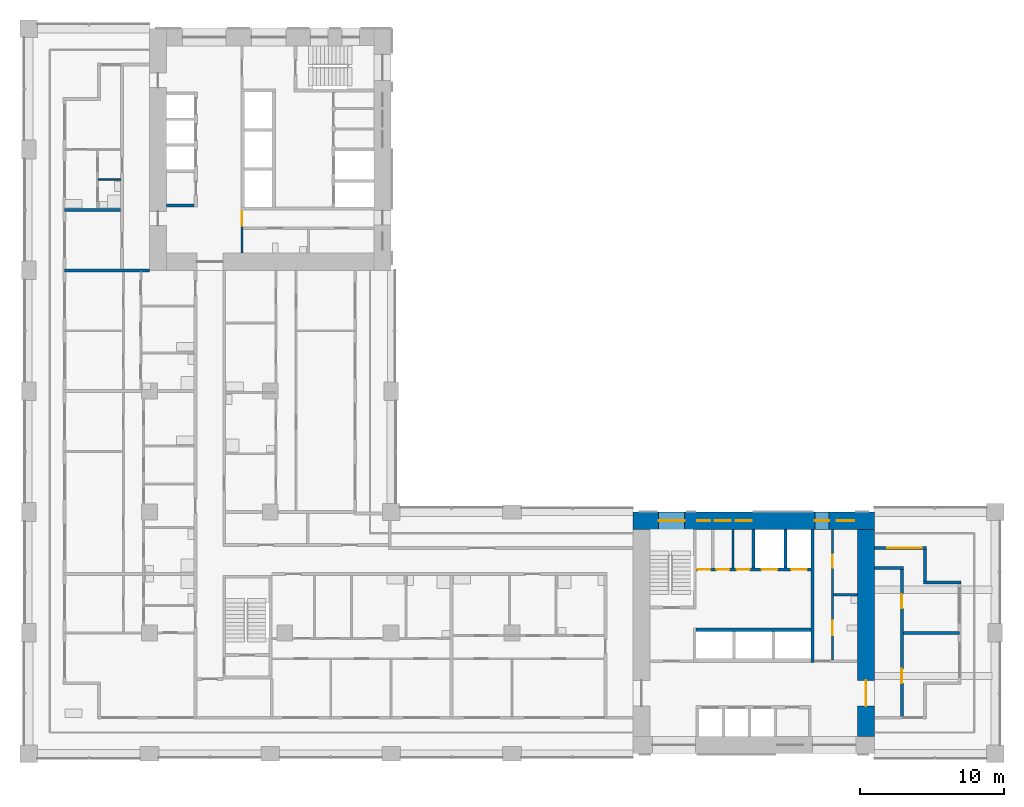
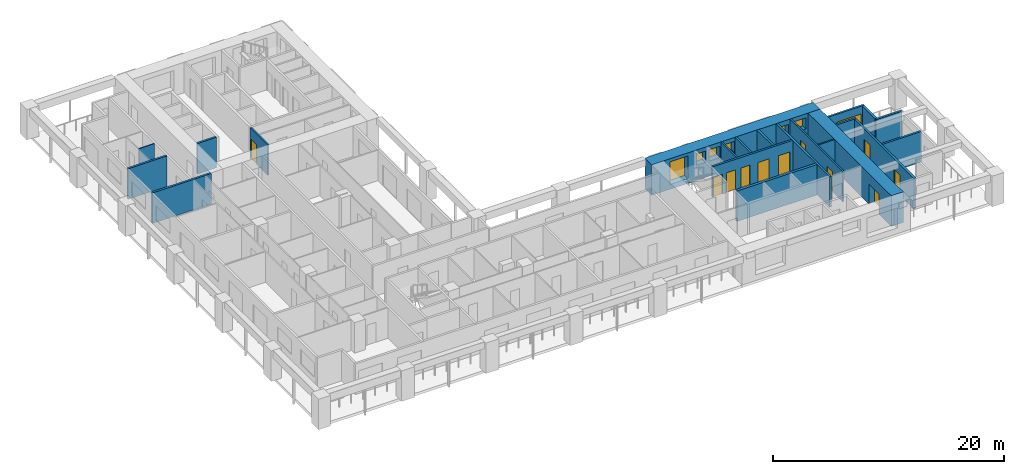
# One storey, part 6 of 17: 21 walls, 11 doors, 7 windows, 18 openings.
"""IFC4 building model written with IfcOpenShell, lengths in metres."""

from ifc_helpers import new_model, si_unit, direction, frame, frame_2d, origin, place, context, subcontext, project, spatial, rectangle, extrude, material, layer, layer_set, type_object, element, fill, save


model = new_model("IFC4")

# Units and contexts
model_context = context("Model", 3, precision=1e-05, world=origin(), true_north=direction((0.0, 1.0)))
body_context = subcontext(model_context, "Body", "Model", "MODEL_VIEW")
ifc_project = project(units=[si_unit("LENGTHUNIT", "METRE"), si_unit("AREAUNIT", "SQUARE_METRE"), si_unit("VOLUMEUNIT", "CUBIC_METRE"), si_unit("PLANEANGLEUNIT", "RADIAN"), si_unit("MASSUNIT", "GRAM", prefix="KILO")], contexts=[model_context])

# Site, building, storey
site_placement = place(None, origin())
site = spatial("IfcSite", under=ifc_project, at=site_placement, CompositionType="ELEMENT")
building_placement = place(site_placement, origin())
building = spatial("IfcBuilding", under=site, at=building_placement, Name="Vermilion Gate Residences", CompositionType="ELEMENT")
storey_placement = place(building_placement, frame((0.0, 0.0, 116.199951171875)))
storey = spatial("IfcBuildingStorey", under=building, at=storey_placement, Name="L29", CompositionType="ELEMENT", Elevation=116.199951171875)

# Walls
ifc_material_1 = material(Name="Masonry blockwork", Category="masonry")
ifc_layer_1 = layer(ifc_material_1, 0.14990234375)
ifc_layer_set_1 = layer_set([ifc_layer_1], Name="BLOCKWORK PARTITION 150 EI 120")
wall_type_1 = type_object("IfcWallType", Name="BLOCKWORK PARTITION 150 EI 120", PredefinedType="PARTITIONING", material=ifc_layer_set_1)
wall_1_placement = place(storey_placement, frame((48.965087890625, 21.300048828125, 0.0), z_axis=(0.0, 0.0, 1.0), x_axis=(0.0, 1.0, 0.0)))
element("IfcWall", 1, at=wall_1_placement, inside=storey, type_object=wall_type_1, Name="Core room partition A29-NR-P1", PredefinedType="PARTITIONING", context=body_context, shape_type="SweptSolid", body=[
    extrude(rectangle(XDim=2.699951171875, YDim=0.14990234375, at=frame_2d((1.35009765625, 0.0))), origin(), (0.0, 0.0, 1.0), 3.219970703125),
])
wall_2_placement = place(storey_placement, frame((55.949951171875, 19.449951171875, 0.0), z_axis=(0.0, 0.0, 1.0), x_axis=(1.0, 0.0, 0.0)))
element("IfcWall", 2, at=wall_2_placement, inside=storey, type_object=wall_type_1, Name="Core room partition A29-ES-P0", PredefinedType="PARTITIONING", context=body_context, shape_type="SweptSolid", body=[
    extrude(rectangle(XDim=1.650146484375, YDim=0.14990234375, at=frame_2d((0.8251953125, 0.0))), origin(), (0.0, 0.0, 1.0), 3.219970703125),
])

# Wall, openings, doors
wall_3_placement = place(storey_placement, frame((55.875, 14.89990234375, 0.0), z_axis=(0.0, 0.0, 1.0), x_axis=(0.0, 1.0, 0.0)))
wall_3 = element("IfcWall", 3, at=wall_3_placement, inside=storey, type_object=wall_type_1, Name="Core room partition A29-ES-W", PredefinedType="PARTITIONING", context=body_context, shape_type="SweptSolid", body=[
    extrude(rectangle(XDim=9.10009765625, YDim=0.14990234375, at=frame_2d((4.550048828125, 0.0))), origin(), (0.0, 0.0, 1.0), 3.219970703125),
])
opening_1_placement = place(wall_3_placement, frame((1.737548828125, 0.0, 0.0)))
opening_1 = element("IfcOpeningElement", 4, at=opening_1_placement, cuts=wall_3, Name="Opening DK29015", PredefinedType="OPENING", context=body_context, shape_type="SweptSolid", body=[
    extrude(rectangle(XDim=1.0, YDim=2.10009765625, at=frame_2d((0.5, 1.050048828125))), frame((0.0, 0.0849609375, 0.0), z_axis=(0.0, -1.0, 0.0), x_axis=(1.0, 0.0, 0.0)), (0.0, 0.0, 1.0), 0.169921875),
])
opening_2_placement = place(wall_3_placement, frame((6.41259765625, 0.0, 0.0)))
opening_2 = element("IfcOpeningElement", 5, at=opening_2_placement, cuts=wall_3, Name="Opening DK29016", PredefinedType="OPENING", context=body_context, shape_type="SweptSolid", body=[
    extrude(rectangle(XDim=0.89990234375, YDim=2.10009765625, at=frame_2d((0.449951171875, 1.050048828125))), frame((0.0, 0.0849609375, 0.0), z_axis=(0.0, -1.0, 0.0), x_axis=(1.0, 0.0, 0.0)), (0.0, 0.0, 1.0), 0.169921875),
])
ifc_material_2 = material(Name="Steel", Category="steel")
door_type_1 = type_object("IfcDoorType", Name="FIRE DOOR FD60 1000 X 2100", OperationType="SINGLE_SWING_LEFT", PredefinedType="DOOR", material=ifc_material_2)
door_1_placement = place(opening_1_placement, frame((1.0, 0.0, 0.0), z_axis=(0.0, 0.0, 1.0), x_axis=(-1.0, 0.0, 0.0)))
door_1 = element("IfcDoor", 6, at=door_1_placement, inside=storey, type_object=door_type_1, Name="Accessible WC A29", OperationType="SINGLE_SWING_RIGHT", OverallHeight=2.10009765625, OverallWidth=1.0, PredefinedType="DOOR", context=body_context, shape_type="SweptSolid", body=[
    extrude(rectangle(XDim=1.0, YDim=2.10009765625, at=frame_2d((0.5, 1.050048828125))), frame((0.0, 0.02490234375, 0.0), z_axis=(0.0, -1.0, 0.0), x_axis=(1.0, 0.0, 0.0)), (0.0, 0.0, 1.0), 0.050048828125),
])
fill(opening_1, door_1)
ifc_material_3 = material(Name="Steel", Category="steel")
door_type_2 = type_object("IfcDoorType", Name="SERVICE ROOM DOOR FD60 900 X 2100", OperationType="SINGLE_SWING_LEFT", PredefinedType="DOOR", material=ifc_material_3)
door_2_placement = place(opening_2_placement, frame((0.89990234375, 0.0, 0.0), z_axis=(0.0, 0.0, 1.0), x_axis=(-1.0, 0.0, 0.0)))
door_2 = element("IfcDoor", 7, at=door_2_placement, inside=storey, type_object=door_type_2, Name="Refuse room A29", OperationType="SINGLE_SWING_RIGHT", OverallHeight=2.10009765625, OverallWidth=0.89990234375, PredefinedType="DOOR", context=body_context, shape_type="SweptSolid", body=[
    extrude(rectangle(XDim=0.89990234375, YDim=2.10009765625, at=frame_2d((0.449951171875, 1.050048828125))), frame((0.0, 0.02490234375, 0.0), z_axis=(0.0, -1.0, 0.0), x_axis=(1.0, 0.0, 0.0)), (0.0, 0.0, 1.0), 0.050048828125),
])
fill(opening_2, door_2)

# Wall, opening, door
wall_4_placement = place(storey_placement, frame((14.824951171875, 46.199951171875, 0.0), z_axis=(0.0, 0.0, 1.0), x_axis=(0.0, -1.0, 0.0)))
wall_4 = element("IfcWall", 8, at=wall_4_placement, inside=storey, type_object=wall_type_1, Name="Core room partition B29-ES-S", PredefinedType="PARTITIONING", context=body_context, shape_type="SweptSolid", body=[
    extrude(rectangle(XDim=3.0, YDim=0.14990234375, at=frame_2d((1.5, 0.0))), origin(), (0.0, 0.0, 1.0), 3.219970703125),
])
opening_3_placement = place(wall_4_placement, frame((0.10009765625, 0.0, 0.0)))
opening_3 = element("IfcOpeningElement", 9, at=opening_3_placement, cuts=wall_4, Name="Opening DK29115", PredefinedType="OPENING", context=body_context, shape_type="SweptSolid", body=[
    extrude(rectangle(XDim=1.0, YDim=2.10009765625, at=frame_2d((0.5, 1.050048828125))), frame((0.0, 0.0849609375, 0.0), z_axis=(0.0, -1.0, 0.0), x_axis=(1.0, 0.0, 0.0)), (0.0, 0.0, 1.0), 0.169921875),
])
door_3_placement = place(opening_3_placement, frame((1.0, 0.0, 0.0), z_axis=(0.0, 0.0, 1.0), x_axis=(-1.0, 0.0, 0.0)))
door_3 = element("IfcDoor", 10, at=door_3_placement, inside=storey, type_object=door_type_1, Name="Service corridor door B29", OperationType="SINGLE_SWING_LEFT", OverallHeight=2.10009765625, OverallWidth=1.0, PredefinedType="DOOR", context=body_context, shape_type="SweptSolid", body=[
    extrude(rectangle(XDim=1.0, YDim=2.10009765625, at=frame_2d((0.5, 1.050048828125))), frame((0.0, 0.02490234375, 0.0), z_axis=(0.0, -1.0, 0.0), x_axis=(1.0, 0.0, 0.0)), (0.0, 0.0, 1.0), 0.050048828125),
])
fill(opening_3, door_3)

# Walls
ifc_material_4 = material(Name="Insulated steel stud wall with terracotta rainscreen", Category="masonry")
ifc_layer_2 = layer(ifc_material_4, 0.199951171875)
ifc_layer_set_2 = layer_set([ifc_layer_2], Name="EXTERNAL WALL 200 TERRACOTTA RAINSCREEN")
wall_type_2 = type_object("IfcWallType", Name="EXTERNAL WALL 200 TERRACOTTA RAINSCREEN", PredefinedType="SOLIDWALL", material=ifc_layer_set_2)
wall_5_placement = place(storey_placement, frame((64.800048828125, 20.300048828125, 0.0), z_axis=(0.0, 0.0, 1.0), x_axis=(-1.0, 0.0, 0.0)))
element("IfcWall", 11, at=wall_5_placement, inside=storey, type_object=wall_type_2, Name="External wall", PredefinedType="SOLIDWALL", context=body_context, shape_type="SweptSolid", body=[
    extrude(rectangle(XDim=2.60009765625, YDim=0.199951171875, at=frame_2d((1.300048828125, 0.0))), origin(), (0.0, 0.0, 1.0), 3.219970703125),
])
wall_6_placement = place(storey_placement, frame((62.300048828125, 20.39990234375, 0.0), z_axis=(0.0, 0.0, 1.0), x_axis=(0.0, 1.0, 0.0)))
element("IfcWall", 12, at=wall_6_placement, inside=storey, type_object=wall_type_2, Name="External wall", PredefinedType="SOLIDWALL", context=body_context, shape_type="SweptSolid", body=[
    extrude(rectangle(XDim=2.2001953125, YDim=0.199951171875, at=frame_2d((1.10009765625, 0.0))), origin(), (0.0, 0.0, 1.0), 3.219970703125),
])

# Wall, opening, window
wall_7_placement = place(storey_placement, frame((62.39990234375, 22.699951171875, 0.0), z_axis=(0.0, 0.0, 1.0), x_axis=(-1.0, 0.0, 0.0)))
wall_7 = element("IfcWall", 13, at=wall_7_placement, inside=storey, type_object=wall_type_2, Name="External wall", PredefinedType="SOLIDWALL", context=body_context, shape_type="SweptSolid", body=[
    extrude(rectangle(XDim=3.599853515625, YDim=0.199951171875, at=frame_2d((1.7998046875, 0.0))), origin(), (0.0, 0.0, 1.0), 3.219970703125),
])
opening_4_placement = place(wall_7_placement, frame((0.300048828125, 0.0, 0.89990234375)))
opening_4 = element("IfcOpeningElement", 14, at=opening_4_placement, cuts=wall_7, Name="Opening WE29023", PredefinedType="OPENING", context=body_context, shape_type="SweptSolid", body=[
    extrude(rectangle(XDim=2.39990234375, YDim=1.5, at=frame_2d((1.199951171875, 0.75))), frame((0.0, 0.10986328125, 0.0), z_axis=(0.0, -1.0, 0.0), x_axis=(1.0, 0.0, 0.0)), (0.0, 0.0, 1.0), 0.219970703125),
])
ifc_material_5 = material(Name="Aluminium and clear glass", Category="aluminium")
window_type_1 = type_object("IfcWindowType", Name="WINDOW 2400 X 1500", PartitioningType="SINGLE_PANEL", PredefinedType="WINDOW", material=ifc_material_5)
window_1_placement = place(opening_4_placement, origin())
window_1 = element("IfcWindow", 15, at=window_1_placement, inside=storey, type_object=window_type_1, Name="Window", OverallHeight=1.5, OverallWidth=2.39990234375, PartitioningType="SINGLE_PANEL", PredefinedType="WINDOW", context=body_context, shape_type="SweptSolid", body=[
    extrude(rectangle(XDim=2.39990234375, YDim=1.5, at=frame_2d((1.199951171875, 0.75))), frame((0.0, 0.030029296875, 0.0), z_axis=(0.0, -1.0, 0.0), x_axis=(1.0, 0.0, 0.0)), (0.0, 0.0, 1.0), 0.06005859375),
])
fill(opening_4, window_1)

# Walls
ifc_material_6 = material(Name="Plasterboard on steel studs", Category="steel")
ifc_layer_3 = layer(ifc_material_6, 0.10009765625)
ifc_layer_set_3 = layer_set([ifc_layer_3], Name="PARTITION 100")
wall_type_3 = type_object("IfcWallType", Name="PARTITION 100", PredefinedType="PARTITIONING", material=ifc_layer_set_3)
wall_8_placement = place(storey_placement, frame((4.85009765625, 48.300048828125, 0.0), z_axis=(0.0, 0.0, 1.0), x_axis=(1.0, 0.0, 0.0)))
element("IfcWall", 16, at=wall_8_placement, inside=storey, type_object=wall_type_3, Name="Partition", PredefinedType="PARTITIONING", context=body_context, shape_type="SweptSolid", body=[
    extrude(rectangle(XDim=1.5498046875, YDim=0.10009765625, at=frame_2d((0.77490234375, 0.0))), origin(), (0.0, 0.0, 1.0), 3.219970703125),
])
ifc_material_7 = material(Name="Fire-rated plasterboard on steel studs", Category="steel")
ifc_layer_4 = layer(ifc_material_7, 0.199951171875)
ifc_layer_set_4 = layer_set([ifc_layer_4], Name="PARTY WALL 200 EI 120")
wall_type_4 = type_object("IfcWallType", Name="PARTY WALL 200 EI 120", PredefinedType="PARTITIONING", material=ifc_layer_set_4)
wall_9_placement = place(storey_placement, frame((60.800048828125, 16.800048828125, 0.0), z_axis=(0.0, 0.0, 1.0), x_axis=(1.0, 0.0, 0.0)))
element("IfcWall", 17, at=wall_9_placement, inside=storey, type_object=wall_type_4, Name="Party and corridor wall", PredefinedType="PARTITIONING", context=body_context, shape_type="SweptSolid", body=[
    extrude(rectangle(XDim=3.89990234375, YDim=0.199951171875, at=frame_2d((1.949951171875, 0.0))), origin(), (0.0, 0.0, 1.0), 3.219970703125),
])
wall_10_placement = place(storey_placement, frame((58.800048828125, 21.300048828125, 0.0), z_axis=(0.0, 0.0, 1.0), x_axis=(1.0, 0.0, 0.0)))
element("IfcWall", 18, at=wall_10_placement, inside=storey, type_object=wall_type_4, Name="Party and corridor wall", PredefinedType="PARTITIONING", context=body_context, shape_type="SweptSolid", body=[
    extrude(rectangle(XDim=2.0, YDim=0.199951171875, at=frame_2d((1.0, 0.0))), origin(), (0.0, 0.0, 1.0), 3.219970703125),
])
wall_11_placement = place(storey_placement, frame((2.5, 42.0, 0.0), z_axis=(0.0, 0.0, 1.0), x_axis=(1.0, 0.0, 0.0)))
element("IfcWall", 19, at=wall_11_placement, inside=storey, type_object=wall_type_4, Name="Party and corridor wall", PredefinedType="PARTITIONING", context=body_context, shape_type="SweptSolid", body=[
    extrude(rectangle(XDim=5.89990234375, YDim=0.199951171875, at=frame_2d((2.949951171875, 0.0))), origin(), (0.0, 0.0, 1.0), 3.219970703125),
])
wall_12_placement = place(storey_placement, frame((2.5, 46.199951171875, 0.0), z_axis=(0.0, 0.0, 1.0), x_axis=(1.0, 0.0, 0.0)))
element("IfcWall", 20, at=wall_12_placement, inside=storey, type_object=wall_type_4, Name="Party and corridor wall", PredefinedType="PARTITIONING", context=body_context, shape_type="SweptSolid", body=[
    extrude(rectangle(XDim=3.89990234375, YDim=0.199951171875, at=frame_2d((1.949951171875, 0.0))), origin(), (0.0, 0.0, 1.0), 3.219970703125),
])

# Wall, openings, doors
wall_13_placement = place(storey_placement, frame((60.699951171875, 10.89990234375, 0.0), z_axis=(0.0, 0.0, 1.0), x_axis=(0.0, 1.0, 0.0)))
wall_13 = element("IfcWall", 21, at=wall_13_placement, inside=storey, type_object=wall_type_4, Name="Party and corridor wall", PredefinedType="PARTITIONING", context=body_context, shape_type="SweptSolid", body=[
    extrude(rectangle(XDim=10.300048828125, YDim=0.199951171875, at=frame_2d((5.14990234375, 0.0))), origin(), (0.0, 0.0, 1.0), 3.219970703125),
])
opening_5_placement = place(wall_13_placement, frame((2.39990234375, 0.0, 0.0)))
opening_5 = element("IfcOpeningElement", 22, at=opening_5_placement, cuts=wall_13, Name="Opening DA28049", PredefinedType="OPENING", context=body_context, shape_type="SweptSolid", body=[
    extrude(rectangle(XDim=1.0, YDim=2.10009765625, at=frame_2d((0.5, 1.050048828125))), frame((0.0, 0.10986328125, 0.0), z_axis=(0.0, -1.0, 0.0), x_axis=(1.0, 0.0, 0.0)), (0.0, 0.0, 1.0), 0.219970703125),
])
opening_6_placement = place(wall_13_placement, frame((7.60009765625, 0.0, 0.0)))
opening_6 = element("IfcOpeningElement", 23, at=opening_6_placement, cuts=wall_13, Name="Opening DA28050", PredefinedType="OPENING", context=body_context, shape_type="SweptSolid", body=[
    extrude(rectangle(XDim=1.0, YDim=2.10009765625, at=frame_2d((0.5, 1.050048828125))), frame((0.0, 0.10986328125, 0.0), z_axis=(0.0, -1.0, 0.0), x_axis=(1.0, 0.0, 0.0)), (0.0, 0.0, 1.0), 0.219970703125),
])
ifc_material_8 = material(Name="Steel", Category="steel")
door_type_3 = type_object("IfcDoorType", Name="ENTRANCE DOOR 1000 X 2100 FD30", OperationType="SINGLE_SWING_LEFT", PredefinedType="DOOR", material=ifc_material_8)
door_4_placement = place(opening_5_placement, frame((1.0, 0.0, 0.0), z_axis=(0.0, 0.0, 1.0), x_axis=(-1.0, 0.0, 0.0)))
door_4 = element("IfcDoor", 24, at=door_4_placement, inside=storey, type_object=door_type_3, Name="Entrance door", OperationType="SINGLE_SWING_RIGHT", OverallHeight=2.10009765625, OverallWidth=1.0, PredefinedType="DOOR", context=body_context, shape_type="SweptSolid", body=[
    extrude(rectangle(XDim=1.0, YDim=2.10009765625, at=frame_2d((0.5, 1.050048828125))), frame((0.0, 0.02490234375, 0.0), z_axis=(0.0, -1.0, 0.0), x_axis=(1.0, 0.0, 0.0)), (0.0, 0.0, 1.0), 0.050048828125),
])
fill(opening_5, door_4)
door_5_placement = place(opening_6_placement, frame((1.0, 0.0, 0.0), z_axis=(0.0, 0.0, 1.0), x_axis=(-1.0, 0.0, 0.0)))
door_5 = element("IfcDoor", 25, at=door_5_placement, inside=storey, type_object=door_type_3, Name="Entrance door", OperationType="SINGLE_SWING_RIGHT", OverallHeight=2.10009765625, OverallWidth=1.0, PredefinedType="DOOR", context=body_context, shape_type="SweptSolid", body=[
    extrude(rectangle(XDim=1.0, YDim=2.10009765625, at=frame_2d((0.5, 1.050048828125))), frame((0.0, 0.02490234375, 0.0), z_axis=(0.0, -1.0, 0.0), x_axis=(1.0, 0.0, 0.0)), (0.0, 0.0, 1.0), 0.050048828125),
])
fill(opening_6, door_5)

# Walls
ifc_material_9 = material(Name="Concrete C60", Category="concrete")
ifc_layer_5 = layer(ifc_material_9, 0.199951171875)
ifc_layer_set_5 = layer_set([ifc_layer_5], Name="RC CORE INTERNAL WALL 200 C60")
wall_type_5 = type_object("IfcWallType", Name="RC CORE INTERNAL WALL 200 C60", PredefinedType="SHEAR", material=ifc_layer_set_5)
for number, where, z_axis, x_axis, name in (
    (26, (50.39990234375, 21.300048828125, 0.0), (0.0, 0.0, 1.0), (0.0, 1.0, 0.0), "Core internal wall A29-FF-D0"),
    (27, (52.60009765625, 21.300048828125, 0.0), (0.0, 0.0, 1.0), (0.0, 1.0, 0.0), "Core internal wall A29-FF-D1"),
):
    element("IfcWall", number, at=place(storey_placement, frame(where, z_axis=z_axis, x_axis=x_axis)), inside=storey, type_object=wall_type_5, Name=name, PredefinedType="SHEAR", context=body_context, shape_type="SweptSolid", body=[
        extrude(rectangle(XDim=2.699951171875, YDim=0.199951171875, at=frame_2d((1.35009765625, 0.0))), origin(), (0.0, 0.0, 1.0), 3.219970703125),
    ])

# Wall, openings, doors
wall_14_placement = place(storey_placement, frame((46.39990234375, 21.199951171875, 0.0), z_axis=(0.0, 0.0, 1.0), x_axis=(1.0, 0.0, 0.0)))
wall_14 = element("IfcWall", 28, at=wall_14_placement, inside=storey, type_object=wall_type_5, Name="Core internal wall A29-FF-F", PredefinedType="SHEAR", context=body_context, shape_type="SweptSolid", body=[
    extrude(rectangle(XDim=8.0, YDim=0.199951171875, at=frame_2d((4.0, 0.0))), origin(), (0.0, 0.0, 1.0), 3.219970703125),
])
opening_7_placement = place(wall_14_placement, frame((0.090087890625, 0.0, 0.0)))
opening_7 = element("IfcOpeningElement", 29, at=opening_7_placement, cuts=wall_14, Name="Opening DK29007", PredefinedType="OPENING", context=body_context, shape_type="SweptSolid", body=[
    extrude(rectangle(XDim=0.89990234375, YDim=2.10009765625, at=frame_2d((0.449951171875, 1.050048828125))), frame((0.0, 0.10986328125, 0.0), z_axis=(0.0, -1.0, 0.0), x_axis=(1.0, 0.0, 0.0)), (0.0, 0.0, 1.0), 0.219970703125),
])
opening_8_placement = place(wall_14_placement, frame((1.409912109375, 0.0, 0.0)))
opening_8 = element("IfcOpeningElement", 30, at=opening_8_placement, cuts=wall_14, Name="Opening DK29008", PredefinedType="OPENING", context=body_context, shape_type="SweptSolid", body=[
    extrude(rectangle(XDim=0.89990234375, YDim=2.10009765625, at=frame_2d((0.449951171875, 1.050048828125))), frame((0.0, 0.10986328125, 0.0), z_axis=(0.0, -1.0, 0.0), x_axis=(1.0, 0.0, 0.0)), (0.0, 0.0, 1.0), 0.219970703125),
])
opening_9_placement = place(wall_14_placement, frame((2.820068359375, 0.0, 0.0)))
opening_9 = element("IfcOpeningElement", 31, at=opening_9_placement, cuts=wall_14, Name="Opening DK29009", PredefinedType="OPENING", context=body_context, shape_type="SweptSolid", body=[
    extrude(rectangle(XDim=0.89990234375, YDim=2.10009765625, at=frame_2d((0.449951171875, 1.050048828125))), frame((0.0, 0.10986328125, 0.0), z_axis=(0.0, -1.0, 0.0), x_axis=(1.0, 0.0, 0.0)), (0.0, 0.0, 1.0), 0.219970703125),
])
opening_10_placement = place(wall_14_placement, frame((4.550048828125, 0.0, 0.0)))
opening_10 = element("IfcOpeningElement", 32, at=opening_10_placement, cuts=wall_14, Name="Opening LD", PredefinedType="OPENING", context=body_context, shape_type="SweptSolid", body=[
    extrude(rectangle(XDim=1.10009765625, YDim=2.10009765625, at=frame_2d((0.550048828125, 1.050048828125))), frame((0.0, 0.10986328125, 0.0), z_axis=(0.0, -1.0, 0.0), x_axis=(1.0, 0.0, 0.0)), (0.0, 0.0, 1.0), 0.219970703125),
])
opening_11_placement = place(wall_14_placement, frame((6.60009765625, 0.0, 0.0)))
opening_11 = element("IfcOpeningElement", 33, at=opening_11_placement, cuts=wall_14, Name="Opening LD", PredefinedType="OPENING", context=body_context, shape_type="SweptSolid", body=[
    extrude(rectangle(XDim=1.10009765625, YDim=2.10009765625, at=frame_2d((0.550048828125, 1.050048828125))), frame((0.0, 0.10986328125, 0.0), z_axis=(0.0, -1.0, 0.0), x_axis=(1.0, 0.0, 0.0)), (0.0, 0.0, 1.0), 0.219970703125),
])
ifc_material_10 = material(Name="Stainless steel", Category="steel")
door_type_4 = type_object("IfcDoorType", Name="LIFT LANDING DOOR E60 1100 X 2100", OperationType="DOUBLE_DOOR_SLIDING", PredefinedType="DOOR", material=ifc_material_10)
door_6_placement = place(opening_10_placement, origin())
door_6 = element("IfcDoor", 34, at=door_6_placement, inside=storey, type_object=door_type_4, Name="Lift landing door LFA1", OperationType="DOUBLE_DOOR_SLIDING", OverallHeight=2.10009765625, OverallWidth=1.10009765625, PredefinedType="DOOR", context=body_context, shape_type="SweptSolid", body=[
    extrude(rectangle(XDim=1.10009765625, YDim=2.10009765625, at=frame_2d((0.550048828125, 1.050048828125))), frame((0.0, 0.02490234375, 0.0), z_axis=(0.0, -1.0, 0.0), x_axis=(1.0, 0.0, 0.0)), (0.0, 0.0, 1.0), 0.050048828125),
])
fill(opening_10, door_6)
door_7_placement = place(opening_11_placement, origin())
door_7 = element("IfcDoor", 35, at=door_7_placement, inside=storey, type_object=door_type_4, Name="Lift landing door LCA1", OperationType="DOUBLE_DOOR_SLIDING", OverallHeight=2.10009765625, OverallWidth=1.10009765625, PredefinedType="DOOR", context=body_context, shape_type="SweptSolid", body=[
    extrude(rectangle(XDim=1.10009765625, YDim=2.10009765625, at=frame_2d((0.550048828125, 1.050048828125))), frame((0.0, 0.02490234375, 0.0), z_axis=(0.0, -1.0, 0.0), x_axis=(1.0, 0.0, 0.0)), (0.0, 0.0, 1.0), 0.050048828125),
])
fill(opening_11, door_7)
door_8_placement = place(opening_7_placement, origin())
door_8 = element("IfcDoor", 36, at=door_8_placement, inside=storey, type_object=door_type_2, Name="Electrical riser A29", OperationType="SINGLE_SWING_RIGHT", OverallHeight=2.10009765625, OverallWidth=0.89990234375, PredefinedType="DOOR", context=body_context, shape_type="SweptSolid", body=[
    extrude(rectangle(XDim=0.89990234375, YDim=2.10009765625, at=frame_2d((0.449951171875, 1.050048828125))), frame((0.0, 0.02490234375, 0.0), z_axis=(0.0, -1.0, 0.0), x_axis=(1.0, 0.0, 0.0)), (0.0, 0.0, 1.0), 0.050048828125),
])
fill(opening_7, door_8)
door_9_placement = place(opening_8_placement, origin())
door_9 = element("IfcDoor", 37, at=door_9_placement, inside=storey, type_object=door_type_2, Name="Cleaner's store A29", OperationType="SINGLE_SWING_LEFT", OverallHeight=2.10009765625, OverallWidth=0.89990234375, PredefinedType="DOOR", context=body_context, shape_type="SweptSolid", body=[
    extrude(rectangle(XDim=0.89990234375, YDim=2.10009765625, at=frame_2d((0.449951171875, 1.050048828125))), frame((0.0, 0.02490234375, 0.0), z_axis=(0.0, -1.0, 0.0), x_axis=(1.0, 0.0, 0.0)), (0.0, 0.0, 1.0), 0.050048828125),
])
fill(opening_8, door_9)
door_10_placement = place(opening_9_placement, origin())
door_10 = element("IfcDoor", 38, at=door_10_placement, inside=storey, type_object=door_type_2, Name="Communications riser A29", OperationType="SINGLE_SWING_LEFT", OverallHeight=2.10009765625, OverallWidth=0.89990234375, PredefinedType="DOOR", context=body_context, shape_type="SweptSolid", body=[
    extrude(rectangle(XDim=0.89990234375, YDim=2.10009765625, at=frame_2d((0.449951171875, 1.050048828125))), frame((0.0, 0.02490234375, 0.0), z_axis=(0.0, -1.0, 0.0), x_axis=(1.0, 0.0, 0.0)), (0.0, 0.0, 1.0), 0.050048828125),
])
fill(opening_9, door_10)

# Walls
wall_15_placement = place(storey_placement, frame((54.5, 14.75, 0.0), z_axis=(0.0, 0.0, 1.0), x_axis=(0.0, 1.0, 0.0)))
element("IfcWall", 39, at=wall_15_placement, inside=storey, type_object=wall_type_5, Name="Core internal wall A29-EDIV", PredefinedType="SHEAR", context=body_context, shape_type="SweptSolid", body=[
    extrude(rectangle(XDim=9.25, YDim=0.199951171875, at=frame_2d((4.625, 0.0))), origin(), (0.0, 0.0, 1.0), 3.219970703125),
])
wall_16_placement = place(storey_placement, frame((9.60009765625, 46.5, 0.0), z_axis=(0.0, 0.0, 1.0), x_axis=(1.0, 0.0, 0.0)))
element("IfcWall", 40, at=wall_16_placement, inside=storey, type_object=wall_type_5, Name="Core internal wall B29-LR-DE", PredefinedType="SHEAR", context=body_context, shape_type="SweptSolid", body=[
    extrude(rectangle(XDim=1.89990234375, YDim=0.199951171875, at=frame_2d((0.949951171875, 0.0))), origin(), (0.0, 0.0, 1.0), 3.219970703125),
])

# Wall, opening, door
ifc_material_11 = material(Name="Concrete C70", Category="concrete")
ifc_layer_6 = layer(ifc_material_11, 1.199951171875)
ifc_layer_set_6 = layer_set([ifc_layer_6], Name="RC CORE WALL 1200 C70")
wall_type_6 = type_object("IfcWallType", Name="RC CORE WALL 1200 C70", PredefinedType="SHEAR", material=ifc_layer_set_6)
wall_17_placement = place(storey_placement, frame((58.199951171875, 9.60009765625, 0.0), z_axis=(0.0, 0.0, 1.0), x_axis=(0.0, 1.0, 0.0)))
wall_17 = element("IfcWall", 41, at=wall_17_placement, inside=storey, type_object=wall_type_6, Name="Core wall A29-OUT-BK", PredefinedType="SHEAR", context=body_context, shape_type="SweptSolid", body=[
    extrude(rectangle(XDim=14.39990234375, YDim=1.199951171875, at=frame_2d((7.199951171875, 0.0))), origin(), (0.0, 0.0, 1.0), 3.219970703125),
])
opening_12_placement = place(wall_17_placement, frame((2.10009765625, 0.0, 0.0)))
opening_12 = element("IfcOpeningElement", 42, at=opening_12_placement, cuts=wall_17, Name="Opening DK29002", PredefinedType="OPENING", context=body_context, shape_type="SweptSolid", body=[
    extrude(rectangle(XDim=1.800048828125, YDim=2.10009765625, at=frame_2d((0.89990234375, 1.050048828125))), frame((0.0, 0.60986328125, 0.0), z_axis=(0.0, -1.0, 0.0), x_axis=(1.0, 0.0, 0.0)), (0.0, 0.0, 1.0), 1.219970703125),
])
ifc_material_12 = material(Name="Steel", Category="steel")
door_type_5 = type_object("IfcDoorType", Name="CORE LOBBY DOOR FD60 1800 X 2100", OperationType="DOUBLE_DOOR_SINGLE_SWING", PredefinedType="DOOR", material=ifc_material_12)
door_11_placement = place(opening_12_placement, origin())
door_11 = element("IfcDoor", 43, at=door_11_placement, inside=storey, type_object=door_type_5, Name="Core lobby door A29", OperationType="DOUBLE_DOOR_SINGLE_SWING", OverallHeight=2.10009765625, OverallWidth=1.800048828125, PredefinedType="DOOR", context=body_context, shape_type="SweptSolid", body=[
    extrude(rectangle(XDim=1.800048828125, YDim=2.10009765625, at=frame_2d((0.89990234375, 1.050048828125))), frame((0.0, 0.02490234375, 0.0), z_axis=(0.0, -1.0, 0.0), x_axis=(1.0, 0.0, 0.0)), (0.0, 0.0, 1.0), 0.050048828125),
])
fill(opening_12, door_11)

# Wall, openings, windows
ifc_material_13 = material(Name="Concrete C70 red-oxide pigmented", Category="concrete")
ifc_layer_7 = layer(ifc_material_13, 1.199951171875)
ifc_layer_set_7 = layer_set([ifc_layer_7], Name="RC CORE WALL 1200 C70 RED OXIDE")
wall_type_7 = type_object("IfcWallType", Name="RC CORE WALL 1200 C70 RED OXIDE", PredefinedType="SHEAR", material=ifc_layer_set_7)
wall_18_placement = place(storey_placement, frame((42.0, 24.60009765625, 0.0), z_axis=(0.0, 0.0, 1.0), x_axis=(1.0, 0.0, 0.0)))
wall_18 = element("IfcWall", 44, at=wall_18_placement, inside=storey, type_object=wall_type_7, Name="Core wall A29-OUT-B1", PredefinedType="SHEAR", context=body_context, shape_type="SweptSolid", body=[
    extrude(rectangle(XDim=16.800048828125, YDim=1.199951171875, at=frame_2d((8.39990234375, 0.0))), origin(), (0.0, 0.0, 1.0), 3.219970703125),
])
opening_13_placement = place(wall_18_placement, frame((1.800048828125, 0.0, 0.5)))
opening_13 = element("IfcOpeningElement", 45, at=opening_13_placement, cuts=wall_18, Name="Opening WKA2904", PredefinedType="OPENING", context=body_context, shape_type="SweptSolid", body=[
    extrude(rectangle(XDim=1.800048828125, YDim=2.39990234375, at=frame_2d((0.89990234375, 1.199951171875))), frame((0.0, 0.60986328125, 0.0), z_axis=(0.0, -1.0, 0.0), x_axis=(1.0, 0.0, 0.0)), (0.0, 0.0, 1.0), 1.219970703125),
])
opening_14_placement = place(wall_18_placement, frame((4.489990234375, 0.0, 1.60009765625)))
opening_14 = element("IfcOpeningElement", 46, at=opening_14_placement, cuts=wall_18, Name="Opening WKA2905", PredefinedType="OPENING", context=body_context, shape_type="SweptSolid", body=[
    extrude(rectangle(XDim=0.89990234375, YDim=1.199951171875, at=frame_2d((0.449951171875, 0.60009765625))), frame((0.0, 0.60986328125, 0.0), z_axis=(0.0, -1.0, 0.0), x_axis=(1.0, 0.0, 0.0)), (0.0, 0.0, 1.0), 1.219970703125),
])
opening_15_placement = place(wall_18_placement, frame((5.7099609375, 0.0, 1.60009765625)))
opening_15 = element("IfcOpeningElement", 47, at=opening_15_placement, cuts=wall_18, Name="Opening WKA2906", PredefinedType="OPENING", context=body_context, shape_type="SweptSolid", body=[
    extrude(rectangle(XDim=1.10009765625, YDim=1.199951171875, at=frame_2d((0.550048828125, 0.60009765625))), frame((0.0, 0.60986328125, 0.0), z_axis=(0.0, -1.0, 0.0), x_axis=(1.0, 0.0, 0.0)), (0.0, 0.0, 1.0), 1.219970703125),
])
opening_16_placement = place(wall_18_placement, frame((7.14990234375, 0.0, 1.60009765625)))
opening_16 = element("IfcOpeningElement", 48, at=opening_16_placement, cuts=wall_18, Name="Opening WKA2907", PredefinedType="OPENING", context=body_context, shape_type="SweptSolid", body=[
    extrude(rectangle(XDim=1.10009765625, YDim=1.199951171875, at=frame_2d((0.550048828125, 0.60009765625))), frame((0.0, 0.60986328125, 0.0), z_axis=(0.0, -1.0, 0.0), x_axis=(1.0, 0.0, 0.0)), (0.0, 0.0, 1.0), 1.219970703125),
])
opening_17_placement = place(wall_18_placement, frame((12.64990234375, 0.0, 0.60009765625)))
opening_17 = element("IfcOpeningElement", 49, at=opening_17_placement, cuts=wall_18, Name="Opening WKA2908", PredefinedType="OPENING", context=body_context, shape_type="SweptSolid", body=[
    extrude(rectangle(XDim=1.0, YDim=2.10009765625, at=frame_2d((0.5, 1.050048828125))), frame((0.0, 0.60986328125, 0.0), z_axis=(0.0, -1.0, 0.0), x_axis=(1.0, 0.0, 0.0)), (0.0, 0.0, 1.0), 1.219970703125),
])
opening_18_placement = place(wall_18_placement, frame((14.175048828125, 0.0, 1.60009765625)))
opening_18 = element("IfcOpeningElement", 50, at=opening_18_placement, cuts=wall_18, Name="Opening WKA2909", PredefinedType="OPENING", context=body_context, shape_type="SweptSolid", body=[
    extrude(rectangle(XDim=1.199951171875, YDim=1.199951171875, at=frame_2d((0.60009765625, 0.60009765625))), frame((0.0, 0.60986328125, 0.0), z_axis=(0.0, -1.0, 0.0), x_axis=(1.0, 0.0, 0.0)), (0.0, 0.0, 1.0), 1.219970703125),
])
ifc_material_14 = material(Name="Aluminium and clear glass", Category="aluminium")
window_type_2 = type_object("IfcWindowType", Name="CORE CORRIDOR WINDOW 1000 X 2100", PartitioningType="SINGLE_PANEL", PredefinedType="WINDOW", material=ifc_material_14)
window_2_placement = place(opening_17_placement, origin())
window_2 = element("IfcWindow", 51, at=window_2_placement, inside=storey, type_object=window_type_2, Name="Core corridor window", OverallHeight=2.10009765625, OverallWidth=1.0, PartitioningType="SINGLE_PANEL", PredefinedType="WINDOW", context=body_context, shape_type="SweptSolid", body=[
    extrude(rectangle(XDim=1.0, YDim=2.10009765625, at=frame_2d((0.5, 1.050048828125))), frame((0.0, 0.030029296875, 0.0), z_axis=(0.0, -1.0, 0.0), x_axis=(1.0, 0.0, 0.0)), (0.0, 0.0, 1.0), 0.06005859375),
])
fill(opening_17, window_2)
ifc_material_15 = material(Name="Aluminium frame with louvre blades", Category="aluminium")
window_type_3 = type_object("IfcWindowType", Name="CORE LOUVRE 1100 X 1200", PartitioningType="SINGLE_PANEL", PredefinedType="WINDOW", material=ifc_material_15)
window_3_placement = place(opening_15_placement, origin())
window_3 = element("IfcWindow", 52, at=window_3_placement, inside=storey, type_object=window_type_3, Name="Core louvre", OverallHeight=1.199951171875, OverallWidth=1.10009765625, PartitioningType="SINGLE_PANEL", PredefinedType="WINDOW", context=body_context, shape_type="SweptSolid", body=[
    extrude(rectangle(XDim=1.10009765625, YDim=1.199951171875, at=frame_2d((0.550048828125, 0.60009765625))), frame((0.0, 0.030029296875, 0.0), z_axis=(0.0, -1.0, 0.0), x_axis=(1.0, 0.0, 0.0)), (0.0, 0.0, 1.0), 0.06005859375),
])
fill(opening_15, window_3)
window_4_placement = place(opening_16_placement, origin())
window_4 = element("IfcWindow", 53, at=window_4_placement, inside=storey, type_object=window_type_3, Name="Core louvre", OverallHeight=1.199951171875, OverallWidth=1.10009765625, PartitioningType="SINGLE_PANEL", PredefinedType="WINDOW", context=body_context, shape_type="SweptSolid", body=[
    extrude(rectangle(XDim=1.10009765625, YDim=1.199951171875, at=frame_2d((0.550048828125, 0.60009765625))), frame((0.0, 0.030029296875, 0.0), z_axis=(0.0, -1.0, 0.0), x_axis=(1.0, 0.0, 0.0)), (0.0, 0.0, 1.0), 0.06005859375),
])
fill(opening_16, window_4)
ifc_material_16 = material(Name="Aluminium frame with louvre blades", Category="aluminium")
window_type_4 = type_object("IfcWindowType", Name="CORE LOUVRE 1200 X 1200", PartitioningType="SINGLE_PANEL", PredefinedType="WINDOW", material=ifc_material_16)
window_5_placement = place(opening_18_placement, origin())
window_5 = element("IfcWindow", 54, at=window_5_placement, inside=storey, type_object=window_type_4, Name="Core louvre", OverallHeight=1.199951171875, OverallWidth=1.199951171875, PartitioningType="SINGLE_PANEL", PredefinedType="WINDOW", context=body_context, shape_type="SweptSolid", body=[
    extrude(rectangle(XDim=1.199951171875, YDim=1.199951171875, at=frame_2d((0.60009765625, 0.60009765625))), frame((0.0, 0.030029296875, 0.0), z_axis=(0.0, -1.0, 0.0), x_axis=(1.0, 0.0, 0.0)), (0.0, 0.0, 1.0), 0.06005859375),
])
fill(opening_18, window_5)
ifc_material_17 = material(Name="Aluminium frame with louvre blades", Category="aluminium")
window_type_5 = type_object("IfcWindowType", Name="CORE LOUVRE 900 X 1200", PartitioningType="SINGLE_PANEL", PredefinedType="WINDOW", material=ifc_material_17)
window_6_placement = place(opening_14_placement, origin())
window_6 = element("IfcWindow", 55, at=window_6_placement, inside=storey, type_object=window_type_5, Name="Core louvre", OverallHeight=1.199951171875, OverallWidth=0.89990234375, PartitioningType="SINGLE_PANEL", PredefinedType="WINDOW", context=body_context, shape_type="SweptSolid", body=[
    extrude(rectangle(XDim=0.89990234375, YDim=1.199951171875, at=frame_2d((0.449951171875, 0.60009765625))), frame((0.0, 0.030029296875, 0.0), z_axis=(0.0, -1.0, 0.0), x_axis=(1.0, 0.0, 0.0)), (0.0, 0.0, 1.0), 0.06005859375),
])
fill(opening_14, window_6)
ifc_material_18 = material(Name="Aluminium and clear glass", Category="aluminium")
window_type_6 = type_object("IfcWindowType", Name="CORE STAIR WINDOW 1800 X 2400", PartitioningType="SINGLE_PANEL", PredefinedType="WINDOW", material=ifc_material_18)
window_7_placement = place(opening_13_placement, origin())
window_7 = element("IfcWindow", 56, at=window_7_placement, inside=storey, type_object=window_type_6, Name="Core stair window", OverallHeight=2.39990234375, OverallWidth=1.800048828125, PartitioningType="SINGLE_PANEL", PredefinedType="WINDOW", context=body_context, shape_type="SweptSolid", body=[
    extrude(rectangle(XDim=1.800048828125, YDim=2.39990234375, at=frame_2d((0.89990234375, 1.199951171875))), frame((0.0, 0.030029296875, 0.0), z_axis=(0.0, -1.0, 0.0), x_axis=(1.0, 0.0, 0.0)), (0.0, 0.0, 1.0), 0.06005859375),
])
fill(opening_13, window_7)

# Wall
ifc_material_19 = material(Name="Concrete C60", Category="concrete")
ifc_layer_8 = layer(ifc_material_19, 0.25)
ifc_layer_set_8 = layer_set([ifc_layer_8], Name="RC LIFT SHAFT WALL 250 C60")
wall_type_8 = type_object("IfcWallType", Name="RC LIFT SHAFT WALL 250 C60", PredefinedType="SHEAR", material=ifc_layer_set_8)
wall_19_placement = place(storey_placement, frame((46.39990234375, 17.02490234375, 0.0), z_axis=(0.0, 0.0, 1.0), x_axis=(1.0, 0.0, 0.0)))
element("IfcWall", 57, at=wall_19_placement, inside=storey, type_object=wall_type_8, Name="Lift shaft wall A29-HR-B", PredefinedType="SHEAR", context=body_context, shape_type="SweptSolid", body=[
    extrude(rectangle(XDim=8.0, YDim=0.25, at=frame_2d((4.0, 0.0))), origin(), (0.0, 0.0, 1.0), 3.219970703125),
])

save(model, "model.ifc")
